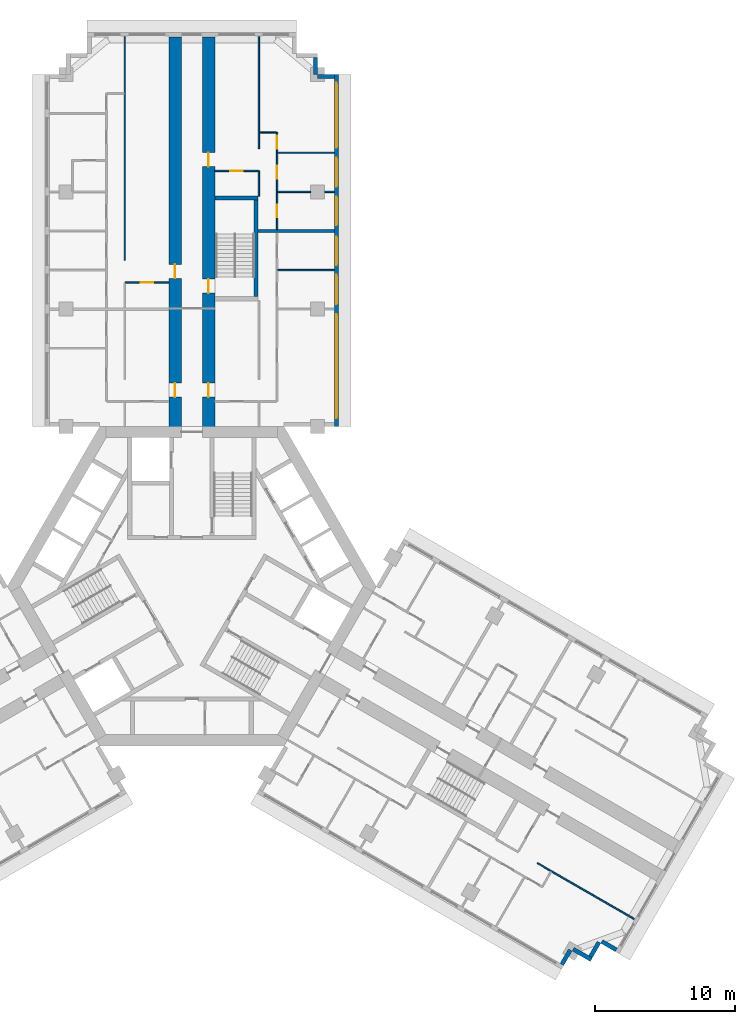
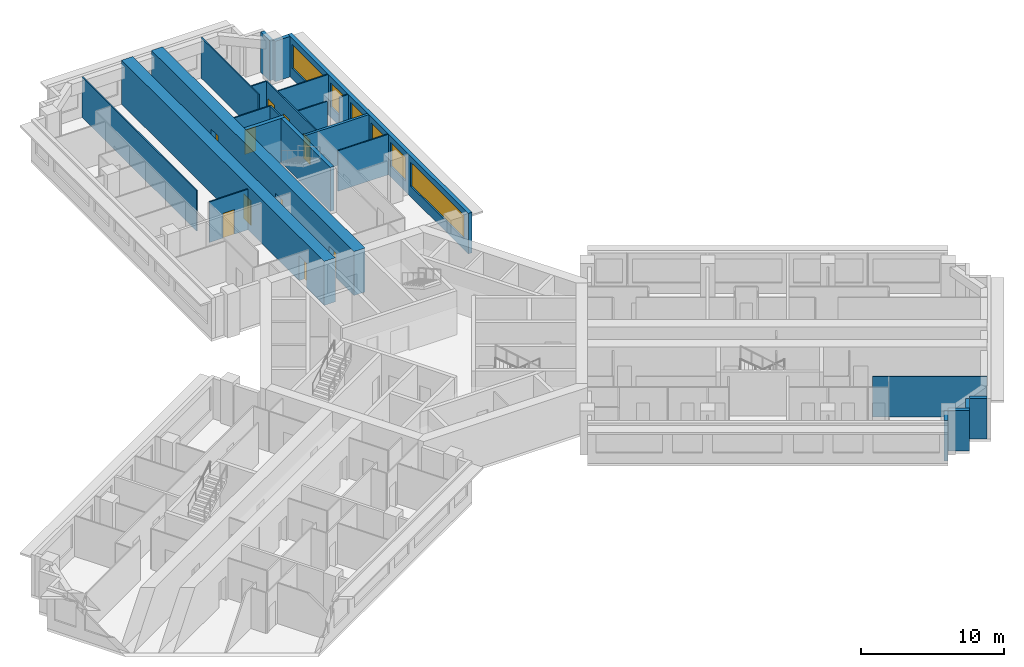
# One storey, part 9 of 12: 24 walls, 10 doors, 6 windows, 16 openings.
"""IFC4 building model written with IfcOpenShell, lengths in metres."""

from ifc_helpers import new_model, si_unit, direction, frame, frame_2d, origin, place, context, subcontext, project, spatial, rectangle, extrude, material, layer, layer_set, type_object, element, fill, save


model = new_model("IFC4")

# Units and contexts
model_context = context("Model", 3, precision=1e-05, world=origin(), true_north=direction((0.0, 1.0)))
body_context = subcontext(model_context, "Body", "Model", "MODEL_VIEW")
ifc_project = project(units=[si_unit("LENGTHUNIT", "METRE"), si_unit("AREAUNIT", "SQUARE_METRE"), si_unit("VOLUMEUNIT", "CUBIC_METRE"), si_unit("PLANEANGLEUNIT", "RADIAN"), si_unit("MASSUNIT", "GRAM", prefix="KILO")], contexts=[model_context])

# Site, building, storey
site_placement = place(None, origin())
site = spatial("IfcSite", under=ifc_project, at=site_placement, CompositionType="ELEMENT")
building_placement = place(site_placement, origin())
building = spatial("IfcBuilding", under=site, at=building_placement, Name="Impinga Residences", CompositionType="ELEMENT")
storey_placement = place(building_placement, frame((0.0, 0.0, 177.25)))
storey = spatial("IfcBuildingStorey", under=building, at=storey_placement, Name="L44", CompositionType="ELEMENT", Elevation=177.25)

# Wall, openings, doors
ifc_material_1 = material(Name="Concrete C60/75", Category="concrete")
ifc_layer_1 = layer(ifc_material_1, 0.89990234375)
ifc_layer_set_1 = layer_set([ifc_layer_1], Name="Concrete C60/75")
wall_type_1 = type_object("IfcWallType", Name="BW2 corridor buttress wall, L24 to L44 900", PredefinedType="SHEAR", material=ifc_layer_set_1)
wall_1_placement = place(storey_placement, frame((-1.199951171875, 11.031494140625, 0.0), z_axis=(0.0, 0.0, 1.0), x_axis=(0.0, 1.0, 0.0)))
wall_1 = element("IfcWall", 1, at=wall_1_placement, inside=storey, type_object=wall_type_1, Name="Corridor wall BW2 NC L44", PredefinedType="SHEAR", context=body_context, shape_type="SweptSolid", body=[
    extrude(rectangle(XDim=28.300048828125, YDim=0.89990234375, at=frame_2d((14.14990234375, 0.0))), origin(), (0.0, 0.0, 1.0), 3.75),
])
opening_1_placement = place(wall_1_placement, frame((2.5, 0.0, 0.0)))
opening_1 = element("IfcOpeningElement", 2, at=opening_1_placement, cuts=wall_1, Name="Opening D1", PredefinedType="OPENING", context=body_context, shape_type="SweptSolid", body=[
    extrude(rectangle(XDim=1.0, YDim=2.10009765625, at=frame_2d((0.5, 1.050048828125))), frame((0.0, 0.4599609375, 0.0), z_axis=(0.0, -1.0, 0.0), x_axis=(1.0, 0.0, 0.0)), (0.0, 0.0, 1.0), 0.919921875),
])
opening_2_placement = place(wall_1_placement, frame((11.0, 0.0, 0.0)))
opening_2 = element("IfcOpeningElement", 3, at=opening_2_placement, cuts=wall_1, Name="Opening D1", PredefinedType="OPENING", context=body_context, shape_type="SweptSolid", body=[
    extrude(rectangle(XDim=1.0, YDim=2.10009765625, at=frame_2d((0.5, 1.050048828125))), frame((0.0, 0.4599609375, 0.0), z_axis=(0.0, -1.0, 0.0), x_axis=(1.0, 0.0, 0.0)), (0.0, 0.0, 1.0), 0.919921875),
])
ifc_material_2 = material(Name="Timber door set", Category="wood")
door_type_1 = type_object("IfcDoorType", Name="D1 apartment entrance door 1000x2100", OperationType="SINGLE_SWING_LEFT", PredefinedType="DOOR", material=ifc_material_2)
door_1_placement = place(opening_1_placement, origin())
door_1 = element("IfcDoor", 4, at=door_1_placement, inside=storey, type_object=door_type_1, Name="Apartment L44-NA1 entrance", OperationType="SINGLE_SWING_LEFT", OverallHeight=2.10009765625, OverallWidth=1.0, PredefinedType="DOOR", context=body_context, shape_type="SweptSolid", body=[
    extrude(rectangle(XDim=1.0, YDim=2.10009765625, at=frame_2d((0.5, 1.050048828125))), frame((0.0, 0.02490234375, 0.0), z_axis=(0.0, -1.0, 0.0), x_axis=(1.0, 0.0, 0.0)), (0.0, 0.0, 1.0), 0.050048828125),
])
fill(opening_1, door_1)
door_2_placement = place(opening_2_placement, origin())
door_2 = element("IfcDoor", 5, at=door_2_placement, inside=storey, type_object=door_type_1, Name="Apartment L44-NA2 entrance", OperationType="SINGLE_SWING_LEFT", OverallHeight=2.10009765625, OverallWidth=1.0, PredefinedType="DOOR", context=body_context, shape_type="SweptSolid", body=[
    extrude(rectangle(XDim=1.0, YDim=2.10009765625, at=frame_2d((0.5, 1.050048828125))), frame((0.0, 0.02490234375, 0.0), z_axis=(0.0, -1.0, 0.0), x_axis=(1.0, 0.0, 0.0)), (0.0, 0.0, 1.0), 0.050048828125),
])
fill(opening_2, door_2)

wall_2_placement = place(storey_placement, frame((1.199951171875, 11.031494140625, 0.0), z_axis=(0.0, 0.0, 1.0), x_axis=(0.0, 1.0, 0.0)))
wall_2 = element("IfcWall", 6, at=wall_2_placement, inside=storey, type_object=wall_type_1, Name="Corridor wall BW2 ND L44", PredefinedType="SHEAR", context=body_context, shape_type="SweptSolid", body=[
    extrude(rectangle(XDim=28.300048828125, YDim=0.89990234375, at=frame_2d((14.14990234375, 0.0))), origin(), (0.0, 0.0, 1.0), 3.75),
])
opening_3_placement = place(wall_2_placement, frame((9.949951171875, 0.0, 0.0)))
opening_3 = element("IfcOpeningElement", 7, at=opening_3_placement, cuts=wall_2, Name="Opening D5", PredefinedType="OPENING", context=body_context, shape_type="SweptSolid", body=[
    extrude(rectangle(XDim=1.0, YDim=2.10009765625, at=frame_2d((0.5, 1.050048828125))), frame((0.0, 0.4599609375, 0.0), z_axis=(0.0, -1.0, 0.0), x_axis=(1.0, 0.0, 0.0)), (0.0, 0.0, 1.0), 0.919921875),
])
opening_4_placement = place(wall_2_placement, frame((2.5, 0.0, 0.0)))
opening_4 = element("IfcOpeningElement", 8, at=opening_4_placement, cuts=wall_2, Name="Opening D1", PredefinedType="OPENING", context=body_context, shape_type="SweptSolid", body=[
    extrude(rectangle(XDim=1.0, YDim=2.10009765625, at=frame_2d((0.5, 1.050048828125))), frame((0.0, 0.4599609375, 0.0), z_axis=(0.0, -1.0, 0.0), x_axis=(1.0, 0.0, 0.0)), (0.0, 0.0, 1.0), 0.919921875),
])
opening_5_placement = place(wall_2_placement, frame((19.0, 0.0, 0.0)))
opening_5 = element("IfcOpeningElement", 9, at=opening_5_placement, cuts=wall_2, Name="Opening D1", PredefinedType="OPENING", context=body_context, shape_type="SweptSolid", body=[
    extrude(rectangle(XDim=1.0, YDim=2.10009765625, at=frame_2d((0.5, 1.050048828125))), frame((0.0, 0.4599609375, 0.0), z_axis=(0.0, -1.0, 0.0), x_axis=(1.0, 0.0, 0.0)), (0.0, 0.0, 1.0), 0.919921875),
])
door_3_placement = place(opening_4_placement, origin())
door_3 = element("IfcDoor", 10, at=door_3_placement, inside=storey, type_object=door_type_1, Name="Apartment L44-NF1 entrance", OperationType="SINGLE_SWING_LEFT", OverallHeight=2.10009765625, OverallWidth=1.0, PredefinedType="DOOR", context=body_context, shape_type="SweptSolid", body=[
    extrude(rectangle(XDim=1.0, YDim=2.10009765625, at=frame_2d((0.5, 1.050048828125))), frame((0.0, 0.02490234375, 0.0), z_axis=(0.0, -1.0, 0.0), x_axis=(1.0, 0.0, 0.0)), (0.0, 0.0, 1.0), 0.050048828125),
])
fill(opening_4, door_3)
door_4_placement = place(opening_5_placement, origin())
door_4 = element("IfcDoor", 11, at=door_4_placement, inside=storey, type_object=door_type_1, Name="Apartment L44-NF2 entrance", OperationType="SINGLE_SWING_RIGHT", OverallHeight=2.10009765625, OverallWidth=1.0, PredefinedType="DOOR", context=body_context, shape_type="SweptSolid", body=[
    extrude(rectangle(XDim=1.0, YDim=2.10009765625, at=frame_2d((0.5, 1.050048828125))), frame((0.0, 0.02490234375, 0.0), z_axis=(0.0, -1.0, 0.0), x_axis=(1.0, 0.0, 0.0)), (0.0, 0.0, 1.0), 0.050048828125),
])
fill(opening_5, door_4)
door_type_2 = type_object("IfcDoorType", Name="D5 stair door 1000x2100", OperationType="SINGLE_SWING_LEFT", PredefinedType="DOOR", material=ifc_material_2)
door_5_placement = place(opening_3_placement, origin())
door_5 = element("IfcDoor", 12, at=door_5_placement, inside=storey, type_object=door_type_2, Name="Wing stair door N", OperationType="SINGLE_SWING_LEFT", OverallHeight=2.10009765625, OverallWidth=1.0, PredefinedType="DOOR", context=body_context, shape_type="SweptSolid", body=[
    extrude(rectangle(XDim=1.0, YDim=2.10009765625, at=frame_2d((0.5, 1.050048828125))), frame((0.0, 0.02490234375, 0.0), z_axis=(0.0, -1.0, 0.0), x_axis=(1.0, 0.0, 0.0)), (0.0, 0.0, 1.0), 0.050048828125),
])
fill(opening_3, door_5)

# Walls
ifc_material_3 = material(Name="Terracotta rainscreen on blockwork", Category="masonry")
ifc_layer_2 = layer(ifc_material_3, 0.300048828125)
ifc_layer_set_2 = layer_set([ifc_layer_2], Name="EW1 external wall, terracotta rainscreen on blockwork 300")
wall_type_2 = type_object("IfcWallType", Name="EW1 external wall, terracotta rainscreen on blockwork 300", PredefinedType="SOLIDWALL", material=ifc_layer_set_2)
wall_3_placement = place(storey_placement, frame((8.85009765625, 37.83154296875, 0.0), z_axis=(0.0, 0.0, 1.0), x_axis=(0.0, -1.0, 0.0)))
element("IfcWall", 13, at=wall_3_placement, inside=storey, type_object=wall_type_2, Name="External wall EW1 L44", PredefinedType="SOLIDWALL", context=body_context, shape_type="SweptSolid", body=[
    extrude(rectangle(XDim=1.199951171875, YDim=0.300048828125, at=frame_2d((0.60009765625, 0.0))), origin(), (0.0, 0.0, 1.0), 3.449951171875),
])
wall_4_placement = place(storey_placement, frame((9.0048828125, 36.4814453125, 0.0), z_axis=(0.0, 0.0, 1.0), x_axis=(1.0, 0.0, 0.0)))
element("IfcWall", 14, at=wall_4_placement, inside=storey, type_object=wall_type_2, Name="External wall EW1 L44", PredefinedType="SOLIDWALL", context=body_context, shape_type="SweptSolid", body=[
    extrude(rectangle(XDim=1.195068359375, YDim=0.300048828125, at=frame_2d((0.59765625, 0.0))), origin(), (0.0, 0.0, 1.0), 3.449951171875),
])

# Wall, openings, windows
wall_5_placement = place(storey_placement, frame((10.35009765625, 36.631591796875, 0.0), z_axis=(0.0, 0.0, 1.0), x_axis=(0.0, -1.0, 0.0)))
wall_5 = element("IfcWall", 15, at=wall_5_placement, inside=storey, type_object=wall_type_2, Name="External wall EW1 L44", PredefinedType="SOLIDWALL", context=body_context, shape_type="SweptSolid", body=[
    extrude(rectangle(XDim=25.199951171875, YDim=0.300048828125, at=frame_2d((12.60009765625, 0.0))), origin(), (0.0, 0.0, 1.0), 3.449951171875),
])
opening_6_placement = place(wall_5_placement, frame((0.60009765625, 0.0, 0.89990234375)))
opening_6 = element("IfcOpeningElement", 16, at=opening_6_placement, cuts=wall_5, Name="Opening W10", PredefinedType="OPENING", context=body_context, shape_type="SweptSolid", body=[
    extrude(rectangle(XDim=4.64990234375, YDim=2.050048828125, at=frame_2d((2.324951171875, 1.02490234375))), frame((0.0, 0.159912109375, 0.0), z_axis=(0.0, -1.0, 0.0), x_axis=(1.0, 0.0, 0.0)), (0.0, 0.0, 1.0), 0.320068359375),
])
opening_7_placement = place(wall_5_placement, frame((5.949951171875, 0.0, 0.89990234375)))
opening_7 = element("IfcOpeningElement", 17, at=opening_7_placement, cuts=wall_5, Name="Opening W9", PredefinedType="OPENING", context=body_context, shape_type="SweptSolid", body=[
    extrude(rectangle(XDim=2.10009765625, YDim=2.050048828125, at=frame_2d((1.050048828125, 1.02490234375))), frame((0.0, 0.159912109375, 0.0), z_axis=(0.0, -1.0, 0.0), x_axis=(1.0, 0.0, 0.0)), (0.0, 0.0, 1.0), 0.320068359375),
])
opening_8_placement = place(wall_5_placement, frame((8.75, 0.0, 0.89990234375)))
opening_8 = element("IfcOpeningElement", 18, at=opening_8_placement, cuts=wall_5, Name="Opening W14", PredefinedType="OPENING", context=body_context, shape_type="SweptSolid", body=[
    extrude(rectangle(XDim=2.050048828125, YDim=2.050048828125, at=frame_2d((1.02490234375, 1.02490234375))), frame((0.0, 0.159912109375, 0.0), z_axis=(0.0, -1.0, 0.0), x_axis=(1.0, 0.0, 0.0)), (0.0, 0.0, 1.0), 0.320068359375),
])
opening_9_placement = place(wall_5_placement, frame((11.60009765625, 0.0, 0.89990234375)))
opening_9 = element("IfcOpeningElement", 19, at=opening_9_placement, cuts=wall_5, Name="Opening W14", PredefinedType="OPENING", context=body_context, shape_type="SweptSolid", body=[
    extrude(rectangle(XDim=2.050048828125, YDim=2.050048828125, at=frame_2d((1.02490234375, 1.02490234375))), frame((0.0, 0.159912109375, 0.0), z_axis=(0.0, -1.0, 0.0), x_axis=(1.0, 0.0, 0.0)), (0.0, 0.0, 1.0), 0.320068359375),
])
opening_10_placement = place(wall_5_placement, frame((14.35009765625, 0.0, 0.89990234375)))
opening_10 = element("IfcOpeningElement", 20, at=opening_10_placement, cuts=wall_5, Name="Opening W9", PredefinedType="OPENING", context=body_context, shape_type="SweptSolid", body=[
    extrude(rectangle(XDim=2.10009765625, YDim=2.050048828125, at=frame_2d((1.050048828125, 1.02490234375))), frame((0.0, 0.159912109375, 0.0), z_axis=(0.0, -1.0, 0.0), x_axis=(1.0, 0.0, 0.0)), (0.0, 0.0, 1.0), 0.320068359375),
])
opening_11_placement = place(wall_5_placement, frame((17.14990234375, 0.0, 0.89990234375)))
opening_11 = element("IfcOpeningElement", 21, at=opening_11_placement, cuts=wall_5, Name="Opening W7", PredefinedType="OPENING", context=body_context, shape_type="SweptSolid", body=[
    extrude(rectangle(XDim=7.449951171875, YDim=2.050048828125, at=frame_2d((3.72509765625, 1.02490234375))), frame((0.0, 0.159912109375, 0.0), z_axis=(0.0, -1.0, 0.0), x_axis=(1.0, 0.0, 0.0)), (0.0, 0.0, 1.0), 0.320068359375),
])
ifc_material_4 = material(Name="Aluminium window, clear double glazing", Category="aluminium")
window_type_1 = type_object("IfcWindowType", Name="W10 ribbon window 4650x2050", PartitioningType="SINGLE_PANEL", PredefinedType="WINDOW", material=ifc_material_4)
window_1_placement = place(opening_6_placement, origin())
window_1 = element("IfcWindow", 22, at=window_1_placement, inside=storey, type_object=window_type_1, Name="Window L44", OverallHeight=2.050048828125, OverallWidth=4.64990234375, PartitioningType="SINGLE_PANEL", PredefinedType="WINDOW", context=body_context, shape_type="SweptSolid", body=[
    extrude(rectangle(XDim=4.64990234375, YDim=2.050048828125, at=frame_2d((2.324951171875, 1.02490234375))), frame((0.0, 0.030029296875, 0.0), z_axis=(0.0, -1.0, 0.0), x_axis=(1.0, 0.0, 0.0)), (0.0, 0.0, 1.0), 0.06005859375),
])
fill(opening_6, window_1)
window_type_2 = type_object("IfcWindowType", Name="W14 ribbon window 2050x2050", PartitioningType="SINGLE_PANEL", PredefinedType="WINDOW", material=ifc_material_4)
window_2_placement = place(opening_8_placement, origin())
window_2 = element("IfcWindow", 23, at=window_2_placement, inside=storey, type_object=window_type_2, Name="Window L44", OverallHeight=2.050048828125, OverallWidth=2.050048828125, PartitioningType="SINGLE_PANEL", PredefinedType="WINDOW", context=body_context, shape_type="SweptSolid", body=[
    extrude(rectangle(XDim=2.050048828125, YDim=2.050048828125, at=frame_2d((1.02490234375, 1.02490234375))), frame((0.0, 0.030029296875, 0.0), z_axis=(0.0, -1.0, 0.0), x_axis=(1.0, 0.0, 0.0)), (0.0, 0.0, 1.0), 0.06005859375),
])
fill(opening_8, window_2)
window_3_placement = place(opening_9_placement, origin())
window_3 = element("IfcWindow", 24, at=window_3_placement, inside=storey, type_object=window_type_2, Name="Window L44", OverallHeight=2.050048828125, OverallWidth=2.050048828125, PartitioningType="SINGLE_PANEL", PredefinedType="WINDOW", context=body_context, shape_type="SweptSolid", body=[
    extrude(rectangle(XDim=2.050048828125, YDim=2.050048828125, at=frame_2d((1.02490234375, 1.02490234375))), frame((0.0, 0.030029296875, 0.0), z_axis=(0.0, -1.0, 0.0), x_axis=(1.0, 0.0, 0.0)), (0.0, 0.0, 1.0), 0.06005859375),
])
fill(opening_9, window_3)
window_type_3 = type_object("IfcWindowType", Name="W7 ribbon window 7450x2050", PartitioningType="SINGLE_PANEL", PredefinedType="WINDOW", material=ifc_material_4)
window_4_placement = place(opening_11_placement, origin())
window_4 = element("IfcWindow", 25, at=window_4_placement, inside=storey, type_object=window_type_3, Name="Window L44", OverallHeight=2.050048828125, OverallWidth=7.449951171875, PartitioningType="SINGLE_PANEL", PredefinedType="WINDOW", context=body_context, shape_type="SweptSolid", body=[
    extrude(rectangle(XDim=7.449951171875, YDim=2.050048828125, at=frame_2d((3.72509765625, 1.02490234375))), frame((0.0, 0.030029296875, 0.0), z_axis=(0.0, -1.0, 0.0), x_axis=(1.0, 0.0, 0.0)), (0.0, 0.0, 1.0), 0.06005859375),
])
fill(opening_11, window_4)
window_type_4 = type_object("IfcWindowType", Name="W9 ribbon window 2100x2050", PartitioningType="SINGLE_PANEL", PredefinedType="WINDOW", material=ifc_material_4)
window_5_placement = place(opening_7_placement, origin())
window_5 = element("IfcWindow", 26, at=window_5_placement, inside=storey, type_object=window_type_4, Name="Window L44", OverallHeight=2.050048828125, OverallWidth=2.10009765625, PartitioningType="SINGLE_PANEL", PredefinedType="WINDOW", context=body_context, shape_type="SweptSolid", body=[
    extrude(rectangle(XDim=2.10009765625, YDim=2.050048828125, at=frame_2d((1.050048828125, 1.02490234375))), frame((0.0, 0.030029296875, 0.0), z_axis=(0.0, -1.0, 0.0), x_axis=(1.0, 0.0, 0.0)), (0.0, 0.0, 1.0), 0.06005859375),
])
fill(opening_7, window_5)
window_6_placement = place(opening_10_placement, origin())
window_6 = element("IfcWindow", 27, at=window_6_placement, inside=storey, type_object=window_type_4, Name="Window L44", OverallHeight=2.050048828125, OverallWidth=2.10009765625, PartitioningType="SINGLE_PANEL", PredefinedType="WINDOW", context=body_context, shape_type="SweptSolid", body=[
    extrude(rectangle(XDim=2.10009765625, YDim=2.050048828125, at=frame_2d((1.050048828125, 1.02490234375))), frame((0.0, 0.030029296875, 0.0), z_axis=(0.0, -1.0, 0.0), x_axis=(1.0, 0.0, 0.0)), (0.0, 0.0, 1.0), 0.06005859375),
])
fill(opening_10, window_6)

# Walls
wall_6_placement = place(storey_placement, frame((30.38720703125, -26.031005859375, 0.0), z_axis=(0.0, 0.0, 1.0), x_axis=(-0.866059708757, 0.499940577336, 0.0)))
element("IfcWall", 28, at=wall_6_placement, inside=storey, type_object=wall_type_2, Name="External wall EW1 L44", PredefinedType="SOLIDWALL", context=body_context, shape_type="SweptSolid", body=[
    extrude(rectangle(XDim=1.195068359375, YDim=0.300048828125, at=frame_2d((0.59765625, 0.0))), origin(), (0.0, 0.0, 1.0), 3.449951171875),
])
wall_7_placement = place(storey_placement, frame((29.14306640625, -25.48583984375, 0.0), z_axis=(0.0, 0.0, 1.0), x_axis=(-0.500033551112, -0.866006032174, 0.0)))
element("IfcWall", 29, at=wall_7_placement, inside=storey, type_object=wall_type_2, Name="External wall EW1 L44", PredefinedType="SOLIDWALL", context=body_context, shape_type="SweptSolid", body=[
    extrude(rectangle(XDim=1.2001953125, YDim=0.300048828125, at=frame_2d((0.60009765625, 0.0))), origin(), (0.0, 0.0, 1.0), 3.449951171875),
])
wall_8_placement = place(storey_placement, frame((28.597900390625, -26.72998046875, 0.0), z_axis=(0.0, 0.0, 1.0), x_axis=(-0.866031096941, 0.499990139034, 0.0)))
element("IfcWall", 30, at=wall_8_placement, inside=storey, type_object=wall_type_2, Name="External wall EW1 L44", PredefinedType="SOLIDWALL", context=body_context, shape_type="SweptSolid", body=[
    extrude(rectangle(XDim=1.5, YDim=0.300048828125, at=frame_2d((0.75, 0.0))), origin(), (0.0, 0.0, 1.0), 3.449951171875),
])
wall_9_placement = place(storey_placement, frame((27.091552734375, -26.039306640625, 0.0), z_axis=(0.0, 0.0, 1.0), x_axis=(-0.500093796661, -0.865971243484, 0.0)))
element("IfcWall", 31, at=wall_9_placement, inside=storey, type_object=wall_type_2, Name="External wall EW1 L44", PredefinedType="SOLIDWALL", context=body_context, shape_type="SweptSolid", body=[
    extrude(rectangle(XDim=1.195068359375, YDim=0.300048828125, at=frame_2d((0.59765625, 0.0))), origin(), (0.0, 0.0, 1.0), 3.449951171875),
])
ifc_material_5 = material(Name="Gypsum board on steel studs", Category="steel")
ifc_layer_3 = layer(ifc_material_5, 0.10009765625)
ifc_layer_set_3 = layer_set([ifc_layer_3], Name="Gypsum board on steel studs")
wall_type_3 = type_object("IfcWallType", Name="IP1 partition 100", PredefinedType="PARTITIONING", material=ifc_layer_set_3)
wall_10_placement = place(storey_placement, frame((-4.800048828125, 23.33154296875, 0.0), z_axis=(0.0, 0.0, 1.0), x_axis=(0.0, 1.0, 0.0)))
element("IfcWall", 32, at=wall_10_placement, inside=storey, type_object=wall_type_3, Name="Partition L44-NA2:DIV1", PredefinedType="PARTITIONING", context=body_context, shape_type="SweptSolid", body=[
    extrude(rectangle(XDim=16.0, YDim=0.10009765625, at=frame_2d((8.0, 0.0))), origin(), (0.0, 0.0, 1.0), 3.449951171875),
])

# Wall, opening, door
wall_11_placement = place(storey_placement, frame((-1.64990234375, 21.7314453125, 0.0), z_axis=(0.0, 0.0, 1.0), x_axis=(-1.0, 0.0, 0.0)))
wall_11 = element("IfcWall", 33, at=wall_11_placement, inside=storey, type_object=wall_type_3, Name="Partition L44-NA2:IB1", PredefinedType="PARTITIONING", context=body_context, shape_type="SweptSolid", body=[
    extrude(rectangle(XDim=3.10009765625, YDim=0.10009765625, at=frame_2d((1.550048828125, 0.0))), origin(), (0.0, 0.0, 1.0), 3.449951171875),
])
opening_12_placement = place(wall_11_placement, frame((1.10009765625, 0.0, 0.0)))
opening_12 = element("IfcOpeningElement", 34, at=opening_12_placement, cuts=wall_11, Name="Opening D2", PredefinedType="OPENING", context=body_context, shape_type="SweptSolid", body=[
    extrude(rectangle(XDim=0.89990234375, YDim=2.10009765625, at=frame_2d((0.449951171875, 1.050048828125))), frame((0.0, 0.06005859375, 0.0), z_axis=(0.0, -1.0, 0.0), x_axis=(1.0, 0.0, 0.0)), (0.0, 0.0, 1.0), 0.1201171875),
])
door_type_3 = type_object("IfcDoorType", Name="D2 internal door 900x2100", OperationType="SINGLE_SWING_LEFT", PredefinedType="DOOR", material=ifc_material_2)
door_6_placement = place(opening_12_placement, origin())
door_6 = element("IfcDoor", 35, at=door_6_placement, inside=storey, type_object=door_type_3, Name="Apartment L44-NA2 bathroom door", OperationType="SINGLE_SWING_LEFT", OverallHeight=2.10009765625, OverallWidth=0.89990234375, PredefinedType="DOOR", context=body_context, shape_type="SweptSolid", body=[
    extrude(rectangle(XDim=0.89990234375, YDim=2.10009765625, at=frame_2d((0.449951171875, 1.050048828125))), frame((0.0, 0.02490234375, 0.0), z_axis=(0.0, -1.0, 0.0), x_axis=(1.0, 0.0, 0.0)), (0.0, 0.0, 1.0), 0.050048828125),
])
fill(opening_12, door_6)

# Walls
wall_12_placement = place(storey_placement, frame((6.14990234375, 22.631591796875, 0.0), z_axis=(0.0, 0.0, 1.0), x_axis=(1.0, 0.0, 0.0)))
element("IfcWall", 36, at=wall_12_placement, inside=storey, type_object=wall_type_3, Name="Partition L44-NF1:OB2", PredefinedType="PARTITIONING", context=body_context, shape_type="SweptSolid", body=[
    extrude(rectangle(XDim=4.050048828125, YDim=0.10009765625, at=frame_2d((2.02490234375, 0.0))), origin(), (0.0, 0.0, 1.0), 3.449951171875),
])
wall_13_placement = place(storey_placement, frame((4.800048828125, 27.931640625, 0.0), z_axis=(0.0, 0.0, 1.0), x_axis=(0.0, 1.0, 0.0)))
element("IfcWall", 37, at=wall_13_placement, inside=storey, type_object=wall_type_3, Name="Partition L44-NF2:DIV0", PredefinedType="PARTITIONING", context=body_context, shape_type="SweptSolid", body=[
    extrude(rectangle(XDim=1.7998046875, YDim=0.10009765625, at=frame_2d((0.89990234375, 0.0))), origin(), (0.0, 0.0, 1.0), 3.449951171875),
])
wall_14_placement = place(storey_placement, frame((4.800048828125, 31.33154296875, 0.0), z_axis=(0.0, 0.0, 1.0), x_axis=(0.0, 1.0, 0.0)))
element("IfcWall", 38, at=wall_14_placement, inside=storey, type_object=wall_type_3, Name="Partition L44-NF2:DIV1", PredefinedType="PARTITIONING", context=body_context, shape_type="SweptSolid", body=[
    extrude(rectangle(XDim=8.0, YDim=0.10009765625, at=frame_2d((4.0, 0.0))), origin(), (0.0, 0.0, 1.0), 3.449951171875),
])

# Wall, openings, doors
wall_15_placement = place(storey_placement, frame((6.10009765625, 25.531494140625, 0.0), z_axis=(0.0, 0.0, 1.0), x_axis=(0.0, 1.0, 0.0)))
wall_15 = element("IfcWall", 39, at=wall_15_placement, inside=storey, type_object=wall_type_3, Name="Partition L44-NF2:STRIP", PredefinedType="PARTITIONING", context=body_context, shape_type="SweptSolid", body=[
    extrude(rectangle(XDim=6.949951171875, YDim=0.10009765625, at=frame_2d((3.47509765625, 0.0))), origin(), (0.0, 0.0, 1.0), 3.449951171875),
])
opening_13_placement = place(wall_15_placement, frame((0.875, 0.0, 0.0)))
opening_13 = element("IfcOpeningElement", 40, at=opening_13_placement, cuts=wall_15, Name="Opening D2", PredefinedType="OPENING", context=body_context, shape_type="SweptSolid", body=[
    extrude(rectangle(XDim=0.89990234375, YDim=2.10009765625, at=frame_2d((0.449951171875, 1.050048828125))), frame((0.0, 0.06005859375, 0.0), z_axis=(0.0, -1.0, 0.0), x_axis=(1.0, 0.0, 0.0)), (0.0, 0.0, 1.0), 0.1201171875),
])
opening_14_placement = place(wall_15_placement, frame((3.64990234375, 0.0, 0.0)))
opening_14 = element("IfcOpeningElement", 41, at=opening_14_placement, cuts=wall_15, Name="Opening D2", PredefinedType="OPENING", context=body_context, shape_type="SweptSolid", body=[
    extrude(rectangle(XDim=0.89990234375, YDim=2.10009765625, at=frame_2d((0.449951171875, 1.050048828125))), frame((0.0, 0.06005859375, 0.0), z_axis=(0.0, -1.0, 0.0), x_axis=(1.0, 0.0, 0.0)), (0.0, 0.0, 1.0), 0.1201171875),
])
opening_15_placement = place(wall_15_placement, frame((5.800048828125, 0.0, 0.0)))
opening_15 = element("IfcOpeningElement", 42, at=opening_15_placement, cuts=wall_15, Name="Opening D2", PredefinedType="OPENING", context=body_context, shape_type="SweptSolid", body=[
    extrude(rectangle(XDim=0.89990234375, YDim=2.10009765625, at=frame_2d((0.449951171875, 1.050048828125))), frame((0.0, 0.06005859375, 0.0), z_axis=(0.0, -1.0, 0.0), x_axis=(1.0, 0.0, 0.0)), (0.0, 0.0, 1.0), 0.1201171875),
])
door_7_placement = place(opening_13_placement, origin())
door_7 = element("IfcDoor", 43, at=door_7_placement, inside=storey, type_object=door_type_3, Name="Apartment L44-NF2 room door", OperationType="SINGLE_SWING_LEFT", OverallHeight=2.10009765625, OverallWidth=0.89990234375, PredefinedType="DOOR", context=body_context, shape_type="SweptSolid", body=[
    extrude(rectangle(XDim=0.89990234375, YDim=2.10009765625, at=frame_2d((0.449951171875, 1.050048828125))), frame((0.0, 0.02490234375, 0.0), z_axis=(0.0, -1.0, 0.0), x_axis=(1.0, 0.0, 0.0)), (0.0, 0.0, 1.0), 0.050048828125),
])
fill(opening_13, door_7)
door_8_placement = place(opening_14_placement, origin())
door_8 = element("IfcDoor", 44, at=door_8_placement, inside=storey, type_object=door_type_3, Name="Apartment L44-NF2 room door", OperationType="SINGLE_SWING_RIGHT", OverallHeight=2.10009765625, OverallWidth=0.89990234375, PredefinedType="DOOR", context=body_context, shape_type="SweptSolid", body=[
    extrude(rectangle(XDim=0.89990234375, YDim=2.10009765625, at=frame_2d((0.449951171875, 1.050048828125))), frame((0.0, 0.02490234375, 0.0), z_axis=(0.0, -1.0, 0.0), x_axis=(1.0, 0.0, 0.0)), (0.0, 0.0, 1.0), 0.050048828125),
])
fill(opening_14, door_8)
door_9_placement = place(opening_15_placement, origin())
door_9 = element("IfcDoor", 45, at=door_9_placement, inside=storey, type_object=door_type_3, Name="Apartment L44-NF2 room door", OperationType="SINGLE_SWING_RIGHT", OverallHeight=2.10009765625, OverallWidth=0.89990234375, PredefinedType="DOOR", context=body_context, shape_type="SweptSolid", body=[
    extrude(rectangle(XDim=0.89990234375, YDim=2.10009765625, at=frame_2d((0.449951171875, 1.050048828125))), frame((0.0, 0.02490234375, 0.0), z_axis=(0.0, -1.0, 0.0), x_axis=(1.0, 0.0, 0.0)), (0.0, 0.0, 1.0), 0.050048828125),
])
fill(opening_15, door_9)

# Wall
wall_16_placement = place(storey_placement, frame((4.85009765625, 32.4814453125, 0.0), z_axis=(0.0, 0.0, 1.0), x_axis=(1.0, 0.0, 0.0)))
element("IfcWall", 46, at=wall_16_placement, inside=storey, type_object=wall_type_3, Name="Partition L44-NF2:SE1", PredefinedType="PARTITIONING", context=body_context, shape_type="SweptSolid", body=[
    extrude(rectangle(XDim=1.199951171875, YDim=0.10009765625, at=frame_2d((0.60009765625, 0.0))), origin(), (0.0, 0.0, 1.0), 3.449951171875),
])

# Wall, opening, door
wall_17_placement = place(storey_placement, frame((1.64990234375, 29.7314453125, 0.0), z_axis=(0.0, 0.0, 1.0), x_axis=(1.0, 0.0, 0.0)))
wall_17 = element("IfcWall", 47, at=wall_17_placement, inside=storey, type_object=wall_type_3, Name="Partition L44-NF2:IB1", PredefinedType="PARTITIONING", context=body_context, shape_type="SweptSolid", body=[
    extrude(rectangle(XDim=3.10009765625, YDim=0.10009765625, at=frame_2d((1.550048828125, 0.0))), origin(), (0.0, 0.0, 1.0), 3.449951171875),
])
opening_16_placement = place(wall_17_placement, frame((1.10009765625, 0.0, 0.0)))
opening_16 = element("IfcOpeningElement", 48, at=opening_16_placement, cuts=wall_17, Name="Opening D2", PredefinedType="OPENING", context=body_context, shape_type="SweptSolid", body=[
    extrude(rectangle(XDim=0.89990234375, YDim=2.10009765625, at=frame_2d((0.449951171875, 1.050048828125))), frame((0.0, 0.06005859375, 0.0), z_axis=(0.0, -1.0, 0.0), x_axis=(1.0, 0.0, 0.0)), (0.0, 0.0, 1.0), 0.1201171875),
])
door_10_placement = place(opening_16_placement, origin())
door_10 = element("IfcDoor", 49, at=door_10_placement, inside=storey, type_object=door_type_3, Name="Apartment L44-NF2 bathroom door", OperationType="SINGLE_SWING_LEFT", OverallHeight=2.10009765625, OverallWidth=0.89990234375, PredefinedType="DOOR", context=body_context, shape_type="SweptSolid", body=[
    extrude(rectangle(XDim=0.89990234375, YDim=2.10009765625, at=frame_2d((0.449951171875, 1.050048828125))), frame((0.0, 0.02490234375, 0.0), z_axis=(0.0, -1.0, 0.0), x_axis=(1.0, 0.0, 0.0)), (0.0, 0.0, 1.0), 0.050048828125),
])
fill(opening_16, door_10)

# Walls
wall_18_placement = place(storey_placement, frame((6.14990234375, 28.2314453125, 0.0), z_axis=(0.0, 0.0, 1.0), x_axis=(1.0, 0.0, 0.0)))
element("IfcWall", 50, at=wall_18_placement, inside=storey, type_object=wall_type_3, Name="Partition L44-NF2:OB1", PredefinedType="PARTITIONING", context=body_context, shape_type="SweptSolid", body=[
    extrude(rectangle(XDim=2.35009765625, YDim=0.10009765625, at=frame_2d((1.175048828125, 0.0))), origin(), (0.0, 0.0, 1.0), 3.449951171875),
])
wall_19_placement = place(storey_placement, frame((9.5, 28.2314453125, 0.0), z_axis=(0.0, 0.0, 1.0), x_axis=(1.0, 0.0, 0.0)))
element("IfcWall", 51, at=wall_19_placement, inside=storey, type_object=wall_type_3, Name="Partition L44-NF2:OB1b", PredefinedType="PARTITIONING", context=body_context, shape_type="SweptSolid", body=[
    extrude(rectangle(XDim=0.699951171875, YDim=0.10009765625, at=frame_2d((0.35009765625, 0.0))), origin(), (0.0, 0.0, 1.0), 3.449951171875),
])
wall_20_placement = place(storey_placement, frame((6.14990234375, 31.031494140625, 0.0), z_axis=(0.0, 0.0, 1.0), x_axis=(1.0, 0.0, 0.0)))
element("IfcWall", 52, at=wall_20_placement, inside=storey, type_object=wall_type_3, Name="Partition L44-NF2:OB2", PredefinedType="PARTITIONING", context=body_context, shape_type="SweptSolid", body=[
    extrude(rectangle(XDim=4.050048828125, YDim=0.10009765625, at=frame_2d((2.02490234375, 0.0))), origin(), (0.0, 0.0, 1.0), 3.449951171875),
])
wall_21_placement = place(storey_placement, frame((24.73388671875, -19.82275390625, 0.0), z_axis=(0.0, 0.0, 1.0), x_axis=(0.866026010844, -0.49999894854, 0.0)))
element("IfcWall", 53, at=wall_21_placement, inside=storey, type_object=wall_type_3, Name="Partition L44-EF2:DIV1", PredefinedType="PARTITIONING", context=body_context, shape_type="SweptSolid", body=[
    extrude(rectangle(XDim=8.0, YDim=0.10009765625, at=frame_2d((4.0, 0.0))), origin(), (0.0, 0.0, 1.0), 3.449951171875),
])
ifc_material_6 = material(Name="Concrete blockwork", Category="masonry")
ifc_layer_4 = layer(ifc_material_6, 0.199951171875)
ifc_layer_set_4 = layer_set([ifc_layer_4], Name="PW1 party wall between apartments 200")
wall_type_4 = type_object("IfcWallType", Name="PW1 party wall between apartments 200", PredefinedType="SOLIDWALL", material=ifc_layer_set_4)
wall_22_placement = place(storey_placement, frame((4.75, 25.431640625, 0.0), z_axis=(0.0, 0.0, 1.0), x_axis=(1.0, 0.0, 0.0)))
element("IfcWall", 54, at=wall_22_placement, inside=storey, type_object=wall_type_4, Name="Party wall between apartments L44-NF1:PARTY", PredefinedType="SOLIDWALL", context=body_context, shape_type="SweptSolid", body=[
    extrude(rectangle(XDim=5.449951171875, YDim=0.199951171875, at=frame_2d((2.72509765625, 0.0))), origin(), (0.0, 0.0, 1.0), 3.449951171875),
])
ifc_layer_5 = layer(ifc_material_1, 0.300048828125)
ifc_layer_set_5 = layer_set([ifc_layer_5], Name="Concrete C60/75")
wall_type_5 = type_object("IfcWallType", Name="SE1 wing stair enclosure wall 300", PredefinedType="SOLIDWALL", material=ifc_layer_set_5)
wall_23_placement = place(storey_placement, frame((1.64990234375, 27.781494140625, 0.0), z_axis=(0.0, 0.0, 1.0), x_axis=(1.0, 0.0, 0.0)))
element("IfcWall", 55, at=wall_23_placement, inside=storey, type_object=wall_type_5, Name="Stair enclosure wall SE1 N END1 L44", PredefinedType="SOLIDWALL", context=body_context, shape_type="SweptSolid", body=[
    extrude(rectangle(XDim=3.10009765625, YDim=0.300048828125, at=frame_2d((1.550048828125, 0.0))), origin(), (0.0, 0.0, 1.0), 3.75),
])
wall_24_placement = place(storey_placement, frame((4.60009765625, 20.7314453125, 0.0), z_axis=(0.0, 0.0, 1.0), x_axis=(0.0, 1.0, 0.0)))
element("IfcWall", 56, at=wall_24_placement, inside=storey, type_object=wall_type_5, Name="Stair enclosure wall SE1 N OUT L44", PredefinedType="SOLIDWALL", context=body_context, shape_type="SweptSolid", body=[
    extrude(rectangle(XDim=6.900146484375, YDim=0.300048828125, at=frame_2d((3.4501953125, 0.0))), origin(), (0.0, 0.0, 1.0), 3.75),
])

save(model, "model.ifc")
